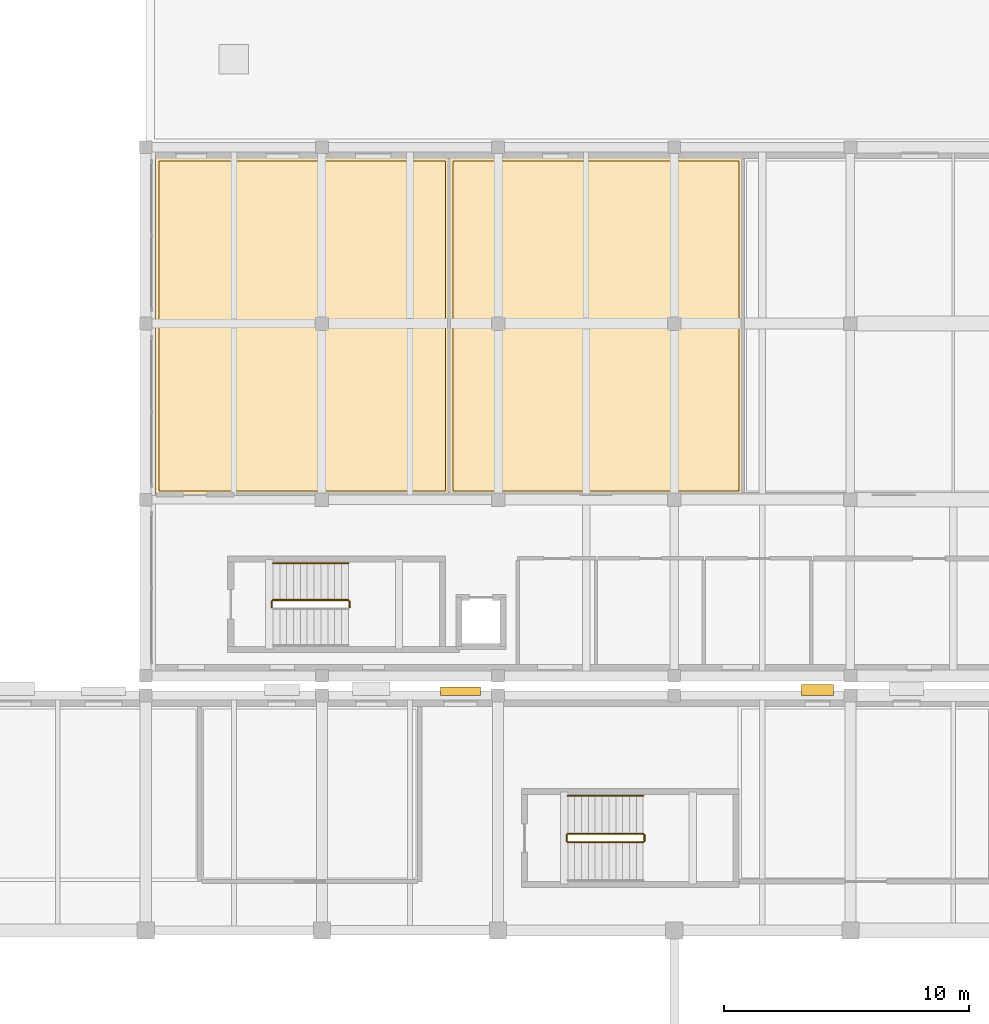
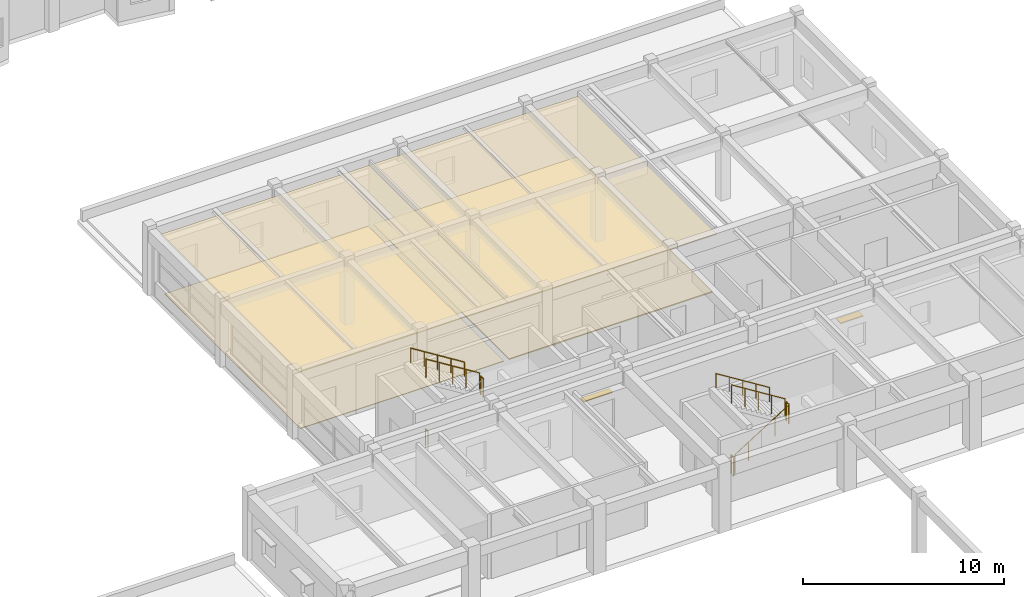
# One storey, part 65 of 67: 9 railings, 4 coverings, 2 shading devices.
"""IFC4 building model written with IfcOpenShell, lengths in metres."""

import ifcopenshell
import ifcopenshell.guid

model = None  # the IFC model being written
_history = None  # IfcOwnerHistory: only IFC2X3 demands one
_inside = {}  # id of a spatial element -> (the spatial element, [elements in it])
_under = {}  # id of a project, library or spatial element -> (it, [spatial elements below it])
_declared = {}  # id of a project -> (the project, [libraries it declares])
_typed = {}  # id of a type object -> (the type object, [elements of that type])
_made_of = {}  # id of a material, layer set ... -> (it, [elements and type objects made of it])


def new_model(schema):
    """Start an empty IFC model of exactly this schema.

    Asked for "IFC4X3", IfcOpenShell would pick the latest addendum, in which some entities
    have other attributes; the version numbers below select the first issue.
    IFC2X3 requires an IfcOwnerHistory on every rooted entity: one is made here for all.
    """
    global model, _history
    if schema == "IFC4X3":
        model = ifcopenshell.file(schema_version=(4, 3, 0, 0))
    else:
        model = ifcopenshell.file(schema=schema)
    _inside.clear()
    _under.clear()
    _declared.clear()
    _typed.clear()
    _made_of.clear()
    _history = None
    if model.schema == "IFC2X3":
        org = make("IfcOrganization", Name="unknown")
        user = make(
            "IfcPersonAndOrganization",
            ThePerson=make("IfcPerson", FamilyName="unknown"),
            TheOrganization=org,
        )
        app = make(
            "IfcApplication",
            ApplicationDeveloper=org,
            Version="unknown",
            ApplicationFullName="unknown",
            ApplicationIdentifier="unknown",
        )
        _history = make(
            "IfcOwnerHistory",
            OwningUser=user,
            OwningApplication=app,
            ChangeAction="ADDED",
            CreationDate=0,
        )
    return model


def make(cls, **values):
    """One entity of the class cls with the attributes given. An attribute that is None is left unset."""
    return model.create_entity(
        cls, **{name: value for name, value in values.items() if value is not None}
    )


def rooted(cls, **values):
    """An entity with a GlobalId (a new one), such as an element, a storey or a relation."""
    return make(cls, GlobalId=ifcopenshell.guid.new(), OwnerHistory=_history, **values)


def si_unit(unit_type, name, prefix=None):
    """IfcSIUnit, for example si_unit("LENGTHUNIT", "METRE", prefix="MILLI")."""
    return make("IfcSIUnit", UnitType=unit_type, Prefix=prefix, Name=name)


def assignment(units):
    """IfcUnitAssignment: the units of a project."""
    return None if units is None else make("IfcUnitAssignment", Units=units)


def point(xyz):
    """IfcCartesianPoint."""
    return None if xyz is None else make("IfcCartesianPoint", Coordinates=xyz)


def direction(xyz):
    """IfcDirection."""
    return None if xyz is None else make("IfcDirection", DirectionRatios=xyz)


def frame(location, z_axis=None, x_axis=None):
    """IfcAxis2Placement3D, a coordinate frame: its origin and axes. An axis left out is left unset."""
    return make(
        "IfcAxis2Placement3D",
        Location=point(location),
        Axis=direction(z_axis),
        RefDirection=direction(x_axis),
    )


def frame_2d(location, x_axis=None):
    """IfcAxis2Placement2D, a coordinate frame in the plane: its origin and x axis."""
    return make(
        "IfcAxis2Placement2D", Location=point(location), RefDirection=direction(x_axis)
    )


def origin():
    """The frame at (0, 0, 0) with its axes left unset."""
    return frame((0.0, 0.0, 0.0))


def origin_2d():
    """The frame at (0, 0) in the plane with its x axis left unset."""
    return frame_2d((0.0, 0.0))


def place(relative_to, where):
    """IfcLocalPlacement: puts the frame where relative to a parent placement (None: the world)."""
    return make(
        "IfcLocalPlacement", PlacementRelTo=relative_to, RelativePlacement=where
    )


def context(
    kind, dimensions, precision=None, world=None, true_north=None, identifier=None
):
    """IfcGeometricRepresentationContext, for example the 3D "Model" context."""
    return make(
        "IfcGeometricRepresentationContext",
        ContextIdentifier=identifier,
        ContextType=kind,
        CoordinateSpaceDimension=dimensions,
        Precision=precision,
        WorldCoordinateSystem=world,
        TrueNorth=true_north,
    )


def subcontext(parent, identifier, kind, view, scale=None):
    """IfcGeometricRepresentationSubContext, for example "Body" below "Model"."""
    return make(
        "IfcGeometricRepresentationSubContext",
        ContextIdentifier=identifier,
        ContextType=kind,
        ParentContext=parent,
        TargetScale=scale,
        TargetView=view,
    )


def project(units=None, contexts=None):
    """IfcProject with its units and contexts."""
    return rooted(
        "IfcProject",
        Name="project",
        RepresentationContexts=contexts,
        UnitsInContext=assignment(units),
    )


def spatial(cls, under=None, at=None, **own):
    """A site, building, storey or space (cls), placed at a placement, below another one or the project."""
    s = rooted(cls, ObjectPlacement=at, **own)
    if under is not None:
        _under.setdefault(under.id(), (under, []))[1].append(s)
    return s


def polyline(points):
    """IfcPolyline through the points."""
    return make("IfcPolyline", Points=[point(p) for p in points])


def profile(cls, at=None, kind="AREA", **sizes):
    """A parametric profile (cls). Its sizes go by their IFC names, for example OverallWidth=200.0."""
    return make(cls, ProfileType=kind, Position=at, **sizes)


def rectangle(**sizes):
    """IfcRectangleProfileDef."""
    return profile("IfcRectangleProfileDef", **sizes)


def circle(**sizes):
    """IfcCircleProfileDef."""
    return profile("IfcCircleProfileDef", **sizes)


def outline(outer, holes=None, kind="AREA"):
    """IfcArbitraryClosedProfileDef: a profile drawn as a closed curve; with holes, ...WithVoids."""
    if holes is None:
        return make("IfcArbitraryClosedProfileDef", ProfileType=kind, OuterCurve=outer)
    return make(
        "IfcArbitraryProfileDefWithVoids",
        ProfileType=kind,
        OuterCurve=outer,
        InnerCurves=holes,
    )


def extrude(swept, where, along, depth):
    """IfcExtrudedAreaSolid: the profile swept, set in the frame where, extruded along a direction by depth."""
    return make(
        "IfcExtrudedAreaSolid",
        SweptArea=swept,
        Position=where,
        ExtrudedDirection=direction(along),
        Depth=depth,
    )


def shape(context_of_items, identifier, shape_type, items):
    """IfcShapeRepresentation: the items that make up one representation, for example the "Body"."""
    return make(
        "IfcShapeRepresentation",
        ContextOfItems=context_of_items,
        RepresentationIdentifier=identifier,
        RepresentationType=shape_type,
        Items=items,
    )


def material(Name=None, Category=None):
    """IfcMaterial."""
    return make("IfcMaterial", Name=Name, Category=Category)


def layer(
    of_material, thickness, ventilated=None, Name=None, Category=None, Priority=None
):
    """IfcMaterialLayer: one layer of a wall or slab, of a material (None: an air gap)."""
    return make(
        "IfcMaterialLayer",
        Material=of_material,
        LayerThickness=thickness,
        IsVentilated=ventilated,
        Name=Name,
        Category=Category,
        Priority=Priority,
    )


def layer_set(layers, Name=None):
    """IfcMaterialLayerSet."""
    return make("IfcMaterialLayerSet", MaterialLayers=layers, LayerSetName=Name)


def made_of(thing, what):
    """Note that an element or type object is made of a material, layer set ...; save() writes the relation."""
    if what is not None:
        _made_of.setdefault(what.id(), (what, []))[1].append(thing)
    return thing


def type_object(cls, material=None, **own):
    """A type object (cls), such as IfcWallType, which elements share."""
    return made_of(rooted(cls, **own), material)


def element(
    cls,
    number,
    at=None,
    inside=None,
    cuts=None,
    type_object=None,
    material=None,
    context=None,
    identifier="Body",
    shape_type=None,
    held_by="IfcProductDefinitionShape",
    body=None,
    shapes=None,
    **own,
):
    """One element of the class cls, such as IfcWall. Its Tag is "e" and its number.

    at: its placement. inside: the storey or other place that contains it. cuts: it is an
    opening in that element (IfcRelVoidsElement). A single representation is given by context,
    identifier, shape_type and body (its items); several are given by shapes. held_by: the class
    of the entity that holds the representations. save() writes the other relations.
    """
    e = rooted(cls, Tag="e%d" % number, ObjectPlacement=at, **own)
    if body is not None:
        shapes = [shape(context, identifier, shape_type, body)]
    if shapes is not None:
        e.Representation = make(held_by, Representations=shapes)
    if inside is not None:
        _inside.setdefault(inside.id(), (inside, []))[1].append(e)
    if cuts is not None:
        rooted(
            "IfcRelVoidsElement", RelatingBuildingElement=cuts, RelatedOpeningElement=e
        )
    if type_object is not None:
        _typed.setdefault(type_object.id(), (type_object, []))[1].append(e)
    return made_of(e, material)


def aggregate(whole, parts):
    """IfcRelAggregates: a whole, such as a stair, and the parts it consists of."""
    return rooted("IfcRelAggregates", RelatingObject=whole, RelatedObjects=parts)


def save(model, path):
    """Write the relations noted so far, then the file.

    IfcRelAggregates (storeys below a building ...), IfcRelContainedInSpatialStructure (elements
    in a storey), IfcRelDefinesByType, IfcRelAssociatesMaterial and IfcRelDeclares: one each for
    every whole, place, type object, material and project.
    """
    for whole, parts in _under.values():
        aggregate(whole, parts)
    for where, things in _inside.values():
        rooted(
            "IfcRelContainedInSpatialStructure",
            RelatedElements=things,
            RelatingStructure=where,
        )
    for kind, things in _typed.values():
        rooted("IfcRelDefinesByType", RelatedObjects=things, RelatingType=kind)
    for what, things in _made_of.values():
        rooted("IfcRelAssociatesMaterial", RelatedObjects=things, RelatingMaterial=what)
    for by, libraries in _declared.values():
        rooted("IfcRelDeclares", RelatingContext=by, RelatedDefinitions=libraries)
    model.write(path)


model = new_model("IFC4")

# Units and contexts
model_context = context("Model", 3, precision=1e-05, world=origin(), true_north=direction((0.0, 1.0)))
body_context = subcontext(model_context, "Body", "Model", "MODEL_VIEW")
ifc_project = project(units=[si_unit("LENGTHUNIT", "METRE"), si_unit("AREAUNIT", "SQUARE_METRE"), si_unit("VOLUMEUNIT", "CUBIC_METRE"), si_unit("PLANEANGLEUNIT", "RADIAN"), si_unit("MASSUNIT", "GRAM", prefix="KILO")], contexts=[model_context])

# Site, building, storey
site_placement = place(None, origin())
site = spatial("IfcSite", under=ifc_project, at=site_placement, CompositionType="ELEMENT")
building_placement = place(site_placement, origin())
building = spatial("IfcBuilding", under=site, at=building_placement, Name="Bramveld Media Centre", CompositionType="ELEMENT")
storey_placement = place(building_placement, frame((0.0, 0.0, 5.39990234375)))
storey = spatial("IfcBuildingStorey", under=building, at=storey_placement, Name="L01", CompositionType="ELEMENT", Elevation=5.39990234375)

# Coverings
ifc_material_1 = material(Name="Perforated acoustic mineral-fibre & oak-slat suspended ceiling")
ifc_layer_1 = layer(ifc_material_1, 0.044921875)
ifc_layer_set_1 = layer_set([ifc_layer_1], Name="Perforated acoustic mineral-fibre & oak-slat suspended ceiling")
covering_type_1 = type_object("IfcCoveringType", Name="COV-CEIL-01", PredefinedType="CEILING", material=ifc_layer_set_1)
covering_1_placement = place(storey_placement, frame((0.0, 0.0, 3.565185546875)))
element("IfcCovering", 1, at=covering_1_placement, inside=storey, type_object=covering_type_1, Name="DI Colour-Timing Theatre 1 acoustic suspended ceiling", PredefinedType="CEILING", context=body_context, shape_type="SweptSolid", body=[
    extrude(outline(polyline([(131.60009765625, 46.60009765625), (143.60009765625, 46.60009765625), (143.60009765625, 60.39990234375), (131.60009765625, 60.39990234375), (131.60009765625, 46.60009765625)])), origin(), (0.0, 0.0, 1.0), 0.044921875),
])
ifc_material_2 = material(Name="Spring-isolated studio acoustic gypsum & mineral-wool ceiling")
ifc_layer_2 = layer(ifc_material_2, 0.06005859375)
ifc_layer_set_2 = layer_set([ifc_layer_2], Name="Spring-isolated studio acoustic gypsum & mineral-wool ceiling")
covering_type_2 = type_object("IfcCoveringType", Name="COV-CEIL-02", PredefinedType="CEILING", material=ifc_layer_set_2)
covering_2_placement = place(storey_placement, frame((0.0, 0.0, 3.550048828125)))
element("IfcCovering", 2, at=covering_2_placement, inside=storey, type_object=covering_type_2, Name="DI Colour-Timing Studio 2 acoustic suspended ceiling", PredefinedType="CEILING", context=body_context, shape_type="SweptSolid", body=[
    extrude(outline(polyline([(143.60009765625, 46.60009765625), (155.60009765625, 46.60009765625), (155.60009765625, 60.39990234375), (143.60009765625, 60.39990234375), (143.60009765625, 46.60009765625)])), origin(), (0.0, 0.0, 1.0), 0.06005859375),
])
ifc_material_3 = material(Name="Floating acoustic screed with smoked European oak studio flooring")
ifc_layer_3 = layer(ifc_material_3, 0.06494140625)
ifc_layer_set_3 = layer_set([ifc_layer_3], Name="Floating acoustic screed with smoked European oak studio flooring")
covering_type_3 = type_object("IfcCoveringType", Name="COV-FLOOR-01", PredefinedType="FLOORING", material=ifc_layer_set_3)
covering_3_placement = place(storey_placement, origin())
element("IfcCovering", 3, at=covering_3_placement, inside=storey, type_object=covering_type_3, Name="DI Colour-Timing Studio 2 finish flooring", PredefinedType="FLOORING", context=body_context, shape_type="SweptSolid", body=[
    extrude(outline(polyline([(143.75, 46.75), (155.449951171875, 46.75), (155.449951171875, 60.25), (143.75, 60.25), (143.75, 46.75)])), origin(), (0.0, 0.0, 1.0), 0.065185546875),
])
ifc_material_4 = material(Name="Anti-static acoustic linoleum editing & vault flooring")
ifc_layer_4 = layer(ifc_material_4, 0.0400390625)
ifc_layer_set_4 = layer_set([ifc_layer_4], Name="Anti-static acoustic linoleum editing & vault flooring")
covering_type_4 = type_object("IfcCoveringType", Name="COV-FLOOR-03", PredefinedType="FLOORING", material=ifc_layer_set_4)
covering_4_placement = place(storey_placement, origin())
element("IfcCovering", 4, at=covering_4_placement, inside=storey, type_object=covering_type_4, Name="DI Colour-Timing Theatre 1 finish flooring", PredefinedType="FLOORING", context=body_context, shape_type="SweptSolid", body=[
    extrude(outline(polyline([(131.75, 46.75), (143.449951171875, 46.75), (143.449951171875, 60.25), (131.75, 60.25), (131.75, 46.75)])), origin(), (0.0, 0.0, 1.0), 0.0400390625),
])

# Railings
ifc_material_5 = material(Name="Painted galvanized steel stairwell guardrail", Category="steel")
railing_type_1 = type_object("IfcRailingType", Name="RAIL-STAIR-GUARD-1150", PredefinedType="GUARDRAIL", material=ifc_material_5)
railing_1_placement = place(storey_placement, frame((148.449951171875, 32.39990234375, 0.175048828125)))
element("IfcRailing", 5, at=railing_1_placement, inside=storey, type_object=railing_type_1, Name="L01 ST-03 stair guard 1", PredefinedType="GUARDRAIL", context=body_context, shape_type="SweptSolid", body=[
    extrude(circle(Radius=0.02392578125, at=origin_2d()), frame((0.0, 0.0, 1.1259765625), z_axis=(0.847998304005, 0.0, 0.529998940003), x_axis=(0.0, 1.0, 0.0)), (0.0, 0.0, 1.0), 3.632080078125),
    extrude(circle(Radius=0.02099609375, at=origin_2d()), origin(), (0.0, 0.0, 1.0), 1.101806640625),
    extrude(circle(Radius=0.02099609375, at=origin_2d()), frame((0.77001953125, 0.0, 0.481201171875)), (0.0, 0.0, 1.0), 1.101806640625),
    extrude(circle(Radius=0.02099609375, at=origin_2d()), frame((1.5400390625, 0.0, 0.96240234375)), (0.0, 0.0, 1.0), 1.101806640625),
    extrude(circle(Radius=0.02099609375, at=origin_2d()), frame((2.31005859375, 0.0, 1.44384765625)), (0.0, 0.0, 1.0), 1.101806640625),
    extrude(circle(Radius=0.02099609375, at=origin_2d()), frame((3.080078125, 0.0, 1.925048828125)), (0.0, 0.0, 1.0), 1.101806640625),
])
railing_2_placement = place(storey_placement, frame((151.580078125, 32.449951171875, 2.10009765625)))
element("IfcRailing", 6, at=railing_2_placement, inside=storey, type_object=railing_type_1, Name="L01 ST-03 stair guard 2", PredefinedType="GUARDRAIL", context=body_context, shape_type="SweptSolid", body=[
    extrude(circle(Radius=0.02392578125, at=origin_2d()), frame((0.0, 0.0, 1.1259765625), z_axis=(0.0, 1.0, 0.0), x_axis=(-1.0, 0.0, 0.0)), (0.0, 0.0, 1.0), 0.25),
    extrude(circle(Radius=0.02099609375, at=origin_2d()), origin(), (0.0, 0.0, 1.0), 1.101806640625),
    extrude(circle(Radius=0.02099609375, at=origin_2d()), frame((0.0, 0.25, 0.0)), (0.0, 0.0, 1.0), 1.101806640625),
])
railing_3_placement = place(storey_placement, frame((151.530029296875, 32.75, 2.275146484375)))
element("IfcRailing", 7, at=railing_3_placement, inside=storey, type_object=railing_type_1, Name="L01 ST-03 stair guard 3", PredefinedType="GUARDRAIL", context=body_context, shape_type="SweptSolid", body=[
    extrude(circle(Radius=0.02392578125, at=origin_2d()), frame((0.0, 0.0, 1.1259765625), z_axis=(-0.847998304005, 0.0, 0.529998940003), x_axis=(0.0, -1.0, 0.0)), (0.0, 0.0, 1.0), 3.632080078125),
    extrude(circle(Radius=0.02099609375, at=origin_2d()), origin(), (0.0, 0.0, 1.0), 1.101806640625),
    extrude(circle(Radius=0.02099609375, at=origin_2d()), frame((-0.77001953125, 0.0, 0.481201171875)), (0.0, 0.0, 1.0), 1.101806640625),
    extrude(circle(Radius=0.02099609375, at=origin_2d()), frame((-1.5400390625, 0.0, 0.96240234375)), (0.0, 0.0, 1.0), 1.101806640625),
    extrude(circle(Radius=0.02099609375, at=origin_2d()), frame((-2.31005859375, 0.0, 1.44384765625)), (0.0, 0.0, 1.0), 1.101806640625),
    extrude(circle(Radius=0.02099609375, at=origin_2d()), frame((-3.080078125, 0.0, 1.925048828125)), (0.0, 0.0, 1.0), 1.101806640625),
])
for number, where, name in (
    (8, (148.39990234375, 32.449951171875, 0.0), "L01 ST-03 stair guard 4"),
    (9, (139.530029296875, 42.0, 2.10009765625), "L01 ST-08 stair guard 2"),
):
    element("IfcRailing", number, at=place(storey_placement, frame(where)), inside=storey, type_object=railing_type_1, Name=name, PredefinedType="GUARDRAIL", context=body_context, shape_type="SweptSolid", body=[
        extrude(circle(Radius=0.02392578125, at=origin_2d()), frame((0.0, 0.0, 1.1259765625), z_axis=(0.0, 1.0, 0.0), x_axis=(-1.0, 0.0, 0.0)), (0.0, 0.0, 1.0), 0.25),
        extrude(circle(Radius=0.02099609375, at=origin_2d()), origin(), (0.0, 0.0, 1.0), 1.101806640625),
        extrude(circle(Radius=0.02099609375, at=origin_2d()), frame((0.0, 0.25, 0.0)), (0.0, 0.0, 1.0), 1.101806640625),
    ])
railing_4_placement = place(storey_placement, frame((139.47998046875, 42.300048828125, 2.275146484375)))
element("IfcRailing", 10, at=railing_4_placement, inside=storey, type_object=railing_type_1, Name="L01 ST-08 stair guard 3", PredefinedType="GUARDRAIL", context=body_context, shape_type="SweptSolid", body=[
    extrude(circle(Radius=0.02392578125, at=origin_2d()), frame((0.0, 0.0, 1.1259765625), z_axis=(-0.847998304005, 0.0, 0.529998940003), x_axis=(0.0, -1.0, 0.0)), (0.0, 0.0, 1.0), 3.632080078125),
    extrude(circle(Radius=0.02099609375, at=origin_2d()), origin(), (0.0, 0.0, 1.0), 1.101806640625),
    extrude(circle(Radius=0.02099609375, at=origin_2d()), frame((-0.77001953125, 0.0, 0.481201171875)), (0.0, 0.0, 1.0), 1.101806640625),
    extrude(circle(Radius=0.02099609375, at=origin_2d()), frame((-1.5400390625, 0.0, 0.96240234375)), (0.0, 0.0, 1.0), 1.101806640625),
    extrude(circle(Radius=0.02099609375, at=origin_2d()), frame((-2.31005859375, 0.0, 1.44384765625)), (0.0, 0.0, 1.0), 1.101806640625),
    extrude(circle(Radius=0.02099609375, at=origin_2d()), frame((-3.080078125, 0.0, 1.925048828125)), (0.0, 0.0, 1.0), 1.101806640625),
])
railing_5_placement = place(storey_placement, frame((136.35009765625, 42.0, 0.0)))
element("IfcRailing", 11, at=railing_5_placement, inside=storey, type_object=railing_type_1, Name="L01 ST-08 stair guard 4", PredefinedType="GUARDRAIL", context=body_context, shape_type="SweptSolid", body=[
    extrude(circle(Radius=0.02392578125, at=origin_2d()), frame((0.0, 0.0, 1.1259765625), z_axis=(0.0, 1.0, 0.0), x_axis=(-1.0, 0.0, 0.0)), (0.0, 0.0, 1.0), 0.25),
    extrude(circle(Radius=0.02099609375, at=origin_2d()), origin(), (0.0, 0.0, 1.0), 1.101806640625),
    extrude(circle(Radius=0.02099609375, at=origin_2d()), frame((0.0, 0.25, 0.0)), (0.0, 0.0, 1.0), 1.101806640625),
])
ifc_material_6 = material(Name="Brushed stainless steel tubular stair handrail", Category="steel")
railing_type_2 = type_object("IfcRailingType", Name="RAIL-STAIR-HAND-0920", PredefinedType="HANDRAIL", material=ifc_material_6)
for number, where, name in (
    (12, (151.530029296875, 34.300048828125, 2.275146484375), "L01 ST-03 stair handrail 2"),
    (13, (139.47998046875, 43.800048828125, 2.275146484375), "L01 ST-08 stair handrail 2"),
):
    element("IfcRailing", number, at=place(storey_placement, frame(where)), inside=storey, type_object=railing_type_2, Name=name, PredefinedType="HANDRAIL", context=body_context, shape_type="SweptSolid", body=[
        extrude(circle(Radius=0.02392578125, at=origin_2d()), frame((0.0, 0.0, 0.8759765625), z_axis=(-0.847998304005, 0.0, 0.529998940003), x_axis=(0.0, -1.0, 0.0)), (0.0, 0.0, 1.0), 3.632080078125),
        extrude(circle(Radius=0.02099609375, at=origin_2d()), origin(), (0.0, 0.0, 1.0), 0.851806640625),
        extrude(circle(Radius=0.02099609375, at=origin_2d()), frame((-0.77001953125, 0.0, 0.481201171875)), (0.0, 0.0, 1.0), 0.851806640625),
        extrude(circle(Radius=0.02099609375, at=origin_2d()), frame((-1.5400390625, 0.0, 0.96240234375)), (0.0, 0.0, 1.0), 0.851806640625),
        extrude(circle(Radius=0.02099609375, at=origin_2d()), frame((-2.31005859375, 0.0, 1.44384765625)), (0.0, 0.0, 1.0), 0.851806640625),
        extrude(circle(Radius=0.02099609375, at=origin_2d()), frame((-3.080078125, 0.0, 1.925048828125)), (0.0, 0.0, 1.0), 0.851806640625),
    ])

# Shading devices
ifc_material_7 = material(Name="Anodized bronze extruded aluminium solar shading fin", Category="aluminium")
shading_device_type_1 = type_object("IfcShadingDeviceType", Name="SHD-BRISE-350", PredefinedType="JALOUSIE", material=ifc_material_7)
shading_device_1_placement = place(storey_placement, frame((144.058837890625, 38.574951171875, 2.66015625), z_axis=(0.0, 0.0, 1.0), x_axis=(1.0, 0.0, 0.0)))
element("IfcShadingDevice", 14, at=shading_device_1_placement, inside=storey, type_object=shading_device_type_1, Name="Bronze solar shading fin 24", PredefinedType="JALOUSIE", context=body_context, shape_type="SweptSolid", body=[
    extrude(rectangle(XDim=1.639892578125, YDim=0.35009765625, at=origin_2d()), origin(), (0.0, 0.0, 1.0), 0.06005859375),
])
ifc_material_8 = material(Name="Anodized bronze extruded aluminium solar shading fin", Category="aluminium")
shading_device_type_2 = type_object("IfcShadingDeviceType", Name="SHD-BRISE-450", PredefinedType="JALOUSIE", material=ifc_material_8)
shading_device_2_placement = place(storey_placement, frame((158.647216796875, 38.625, 2.260009765625), z_axis=(0.0, 0.0, 1.0), x_axis=(1.0, 0.0, 0.0)))
element("IfcShadingDevice", 15, at=shading_device_2_placement, inside=storey, type_object=shading_device_type_2, Name="Bronze solar shading fin 25", PredefinedType="JALOUSIE", context=body_context, shape_type="SweptSolid", body=[
    extrude(rectangle(XDim=1.300048828125, YDim=0.449951171875, at=origin_2d()), origin(), (0.0, 0.0, 1.0), 0.06005859375),
])

save(model, "model.ifc")
